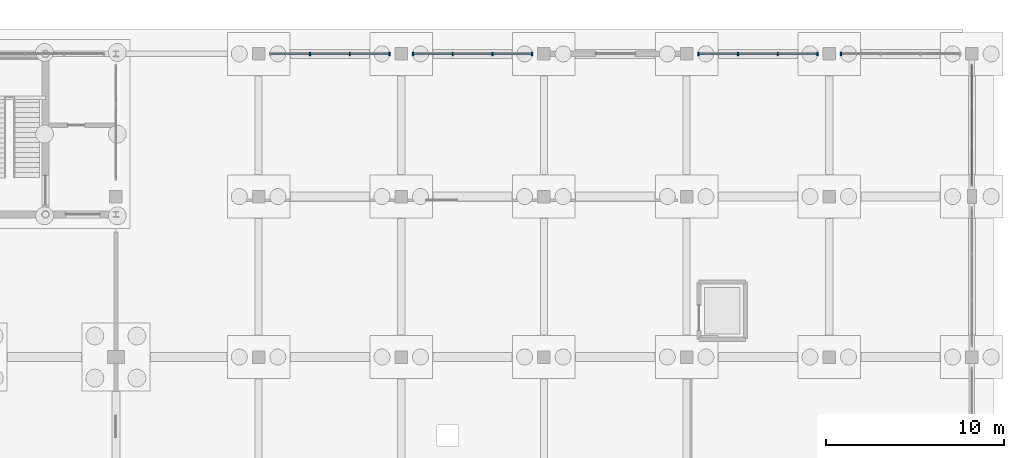
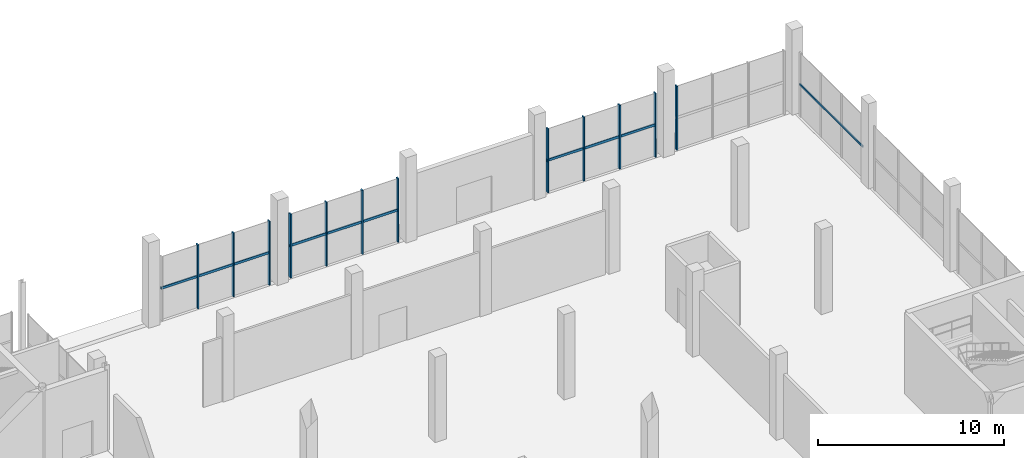
# One storey, part 62 of 98: 16 members, 5 elements without a shape of their own.
"""IFC4 building model written with IfcOpenShell, lengths in metres."""

from ifc_helpers import new_model, si_unit, derived_unit, direction, frame, origin, origin_2d, place, context, subcontext, project, spatial, rectangle, extrude, material, layer, layer_set, material_profile, profile_set, type_object, element, aggregate, save


model = new_model("IFC4")

# Units and contexts
model_context = context("Model", 3, precision=1e-05, world=origin(), true_north=direction((0.0, 1.0)))
body_context = subcontext(model_context, "Body", "Model", "MODEL_VIEW")
ifc_project = project(units=[si_unit("LENGTHUNIT", "METRE"), si_unit("AREAUNIT", "SQUARE_METRE"), si_unit("VOLUMEUNIT", "CUBIC_METRE"), si_unit("PLANEANGLEUNIT", "RADIAN"), si_unit("MASSUNIT", "GRAM", prefix="KILO"), si_unit("THERMODYNAMICTEMPERATUREUNIT", "KELVIN"), derived_unit("THERMALTRANSMITTANCEUNIT", [(si_unit("POWERUNIT", "WATT"), 1), (si_unit("AREAUNIT", "SQUARE_METRE"), -1), (si_unit("THERMODYNAMICTEMPERATUREUNIT", "KELVIN"), -1)])], contexts=[model_context])

# Site, building, storey
site_placement = place(None, origin())
site = spatial("IfcSite", under=ifc_project, at=site_placement, CompositionType="ELEMENT")
building_placement = place(site_placement, origin())
building = spatial("IfcBuilding", under=site, at=building_placement, Name="Haiyu Intermodal Mobility Hub", CompositionType="ELEMENT")
storey_placement = place(building_placement, origin())
storey = spatial("IfcBuildingStorey", under=building, at=storey_placement, Name="L00", CompositionType="ELEMENT", Elevation=0.0)

# Curtain wall, members
ifc_material_1 = material(Name="Low-e laminated insulating glass", Category="glass")
ifc_layer_1 = layer(ifc_material_1, 0.219970703125)
ifc_layer_set_1 = layer_set([ifc_layer_1], Name="Low-e laminated insulating glass")
curtain_wall_type_1 = type_object("IfcCurtainWallType", Name="CW-CW01", PredefinedType="NOTDEFINED", material=ifc_layer_set_1)
curtain_wall_1_placement = place(storey_placement, origin())
curtain_wall_1 = element("IfcCurtainWall", 1, at=curtain_wall_1_placement, inside=storey, type_object=curtain_wall_type_1, Name="Curtain Wall CW-V6N-L00-136", PredefinedType="NOTDEFINED")
ifc_material_2 = material(Name="Anodised aluminium 6063-T6", Category="aluminium")
ifc_material_profile_1 = material_profile(ifc_material_2, rectangle(XDim=0.074951171875, YDim=0.199951171875, at=origin_2d()), Name="ALU75x200")
ifc_profile_set_1 = profile_set([ifc_material_profile_1], Name="Anodised aluminium 6063-T6")
member_type_1 = type_object("IfcMemberType", Name="CWM-ML01", PredefinedType="MULLION", material=ifc_profile_set_1)
member_1_placement = place(storey_placement, frame((177.340087890625, 148.0, 0.0), z_axis=(0.0, 0.0, 1.0), x_axis=(1.0, 0.0, 0.0)))
member_1 = element("IfcMember", 2, at=member_1_placement, type_object=member_type_1, Name="CW-V6N-L00-136-ML01", PredefinedType="MULLION", context=body_context, shape_type="SweptSolid", body=[
    extrude(rectangle(XDim=0.074951171875, YDim=0.199951171875, at=origin_2d()), origin(), (0.0, 0.0, 1.0), 4.199951171875),
])
member_2_placement = place(storey_placement, frame((175.113037109375, 148.0, 0.0), z_axis=(0.0, 0.0, 1.0), x_axis=(1.0, 0.0, 0.0)))
member_2 = element("IfcMember", 3, at=member_2_placement, type_object=member_type_1, Name="CW-V6N-L00-136-ML02", PredefinedType="MULLION", context=body_context, shape_type="SweptSolid", body=[
    extrude(rectangle(XDim=0.074951171875, YDim=0.199951171875, at=origin_2d()), origin(), (0.0, 0.0, 1.0), 4.199951171875),
])
member_3_placement = place(storey_placement, frame((172.886962890625, 148.0, 0.0), z_axis=(0.0, 0.0, 1.0), x_axis=(1.0, 0.0, 0.0)))
member_3 = element("IfcMember", 4, at=member_3_placement, type_object=member_type_1, Name="CW-V6N-L00-136-ML03", PredefinedType="MULLION", context=body_context, shape_type="SweptSolid", body=[
    extrude(rectangle(XDim=0.074951171875, YDim=0.199951171875, at=origin_2d()), origin(), (0.0, 0.0, 1.0), 4.199951171875),
])

curtain_wall_2_placement = place(storey_placement, origin())
curtain_wall_2 = element("IfcCurtainWall", 5, at=curtain_wall_2_placement, inside=storey, type_object=curtain_wall_type_1, Name="Curtain Wall CW-V6N-L00-137", PredefinedType="NOTDEFINED")
member_4_placement = place(storey_placement, frame((185.340087890625, 148.0, 0.0), z_axis=(0.0, 0.0, 1.0), x_axis=(1.0, 0.0, 0.0)))
member_4 = element("IfcMember", 6, at=member_4_placement, type_object=member_type_1, Name="CW-V6N-L00-137-ML01", PredefinedType="MULLION", context=body_context, shape_type="SweptSolid", body=[
    extrude(rectangle(XDim=0.074951171875, YDim=0.199951171875, at=origin_2d()), origin(), (0.0, 0.0, 1.0), 4.199951171875),
])
member_5_placement = place(storey_placement, frame((183.113037109375, 148.0, 0.0), z_axis=(0.0, 0.0, 1.0), x_axis=(1.0, 0.0, 0.0)))
member_5 = element("IfcMember", 7, at=member_5_placement, type_object=member_type_1, Name="CW-V6N-L00-137-ML02", PredefinedType="MULLION", context=body_context, shape_type="SweptSolid", body=[
    extrude(rectangle(XDim=0.074951171875, YDim=0.199951171875, at=origin_2d()), origin(), (0.0, 0.0, 1.0), 4.199951171875),
])
member_6_placement = place(storey_placement, frame((180.886962890625, 148.0, 0.0), z_axis=(0.0, 0.0, 1.0), x_axis=(1.0, 0.0, 0.0)))
member_6 = element("IfcMember", 8, at=member_6_placement, type_object=member_type_1, Name="CW-V6N-L00-137-ML03", PredefinedType="MULLION", context=body_context, shape_type="SweptSolid", body=[
    extrude(rectangle(XDim=0.074951171875, YDim=0.199951171875, at=origin_2d()), origin(), (0.0, 0.0, 1.0), 4.199951171875),
])
member_7_placement = place(storey_placement, frame((178.659912109375, 148.0, 0.0), z_axis=(0.0, 0.0, 1.0), x_axis=(1.0, 0.0, 0.0)))
member_7 = element("IfcMember", 9, at=member_7_placement, type_object=member_type_1, Name="CW-V6N-L00-137-ML04", PredefinedType="MULLION", context=body_context, shape_type="SweptSolid", body=[
    extrude(rectangle(XDim=0.074951171875, YDim=0.199951171875, at=origin_2d()), origin(), (0.0, 0.0, 1.0), 4.199951171875),
])

curtain_wall_3_placement = place(storey_placement, origin())
curtain_wall_3 = element("IfcCurtainWall", 10, at=curtain_wall_3_placement, inside=storey, type_object=curtain_wall_type_1, Name="Curtain Wall CW-V6N-L00-138", PredefinedType="NOTDEFINED")
member_8_placement = place(storey_placement, frame((201.340087890625, 148.0, 0.0), z_axis=(0.0, 0.0, 1.0), x_axis=(1.0, 0.0, 0.0)))
member_8 = element("IfcMember", 11, at=member_8_placement, type_object=member_type_1, Name="CW-V6N-L00-138-ML01", PredefinedType="MULLION", context=body_context, shape_type="SweptSolid", body=[
    extrude(rectangle(XDim=0.074951171875, YDim=0.199951171875, at=origin_2d()), origin(), (0.0, 0.0, 1.0), 4.199951171875),
])
member_9_placement = place(storey_placement, frame((199.113037109375, 148.0, 0.0), z_axis=(0.0, 0.0, 1.0), x_axis=(1.0, 0.0, 0.0)))
member_9 = element("IfcMember", 12, at=member_9_placement, type_object=member_type_1, Name="CW-V6N-L00-138-ML02", PredefinedType="MULLION", context=body_context, shape_type="SweptSolid", body=[
    extrude(rectangle(XDim=0.074951171875, YDim=0.199951171875, at=origin_2d()), origin(), (0.0, 0.0, 1.0), 4.199951171875),
])
member_10_placement = place(storey_placement, frame((196.886962890625, 148.0, 0.0), z_axis=(0.0, 0.0, 1.0), x_axis=(1.0, 0.0, 0.0)))
member_10 = element("IfcMember", 13, at=member_10_placement, type_object=member_type_1, Name="CW-V6N-L00-138-ML03", PredefinedType="MULLION", context=body_context, shape_type="SweptSolid", body=[
    extrude(rectangle(XDim=0.074951171875, YDim=0.199951171875, at=origin_2d()), origin(), (0.0, 0.0, 1.0), 4.199951171875),
])
member_11_placement = place(storey_placement, frame((194.659912109375, 148.0, 0.0), z_axis=(0.0, 0.0, 1.0), x_axis=(1.0, 0.0, 0.0)))
member_11 = element("IfcMember", 14, at=member_11_placement, type_object=member_type_1, Name="CW-V6N-L00-138-ML04", PredefinedType="MULLION", context=body_context, shape_type="SweptSolid", body=[
    extrude(rectangle(XDim=0.074951171875, YDim=0.199951171875, at=origin_2d()), origin(), (0.0, 0.0, 1.0), 4.199951171875),
])

# Curtain wall, member
curtain_wall_4_placement = place(storey_placement, origin())
curtain_wall_4 = element("IfcCurtainWall", 15, at=curtain_wall_4_placement, inside=storey, type_object=curtain_wall_type_1, Name="Curtain Wall CW-V6N-L00-139", PredefinedType="NOTDEFINED")
member_12_placement = place(storey_placement, frame((202.659912109375, 148.0, 0.0), z_axis=(0.0, 0.0, 1.0), x_axis=(1.0, 0.0, 0.0)))
member_12 = element("IfcMember", 16, at=member_12_placement, type_object=member_type_1, Name="CW-V6N-L00-139-ML04", PredefinedType="MULLION", context=body_context, shape_type="SweptSolid", body=[
    extrude(rectangle(XDim=0.074951171875, YDim=0.199951171875, at=origin_2d()), origin(), (0.0, 0.0, 1.0), 4.199951171875),
])
aggregate(curtain_wall_4, [member_12])

# Member
ifc_material_profile_2 = material_profile(ifc_material_2, rectangle(XDim=0.074951171875, YDim=0.159912109375, at=origin_2d()), Name="ALU75x160")
ifc_profile_set_2 = profile_set([ifc_material_profile_2], Name="Anodised aluminium 6063-T6")
member_type_2 = type_object("IfcMemberType", Name="CWM-TR01", PredefinedType="USERDEFINED", material=ifc_profile_set_2)
member_13_placement = place(storey_placement, frame((177.3798828125, 148.0, 2.10009765625), z_axis=(-1.0, 0.0, 0.0), x_axis=(0.0, -1.0, 0.0)))
member_13 = element("IfcMember", 17, at=member_13_placement, type_object=member_type_2, Name="CW-V6N-L00-136-TR01", ObjectType="TRANSOM", PredefinedType="USERDEFINED", context=body_context, shape_type="SweptSolid", body=[
    extrude(rectangle(XDim=0.074951171875, YDim=0.159912109375, at=origin_2d()), origin(), (0.0, 0.0, 1.0), 6.759765625),
])

aggregate(curtain_wall_1, [member_1, member_2, member_3, member_13])

member_14_placement = place(storey_placement, frame((185.3798828125, 148.0, 2.10009765625), z_axis=(-1.0, 0.0, 0.0), x_axis=(0.0, -1.0, 0.0)))
member_14 = element("IfcMember", 18, at=member_14_placement, type_object=member_type_2, Name="CW-V6N-L00-137-TR01", ObjectType="TRANSOM", PredefinedType="USERDEFINED", context=body_context, shape_type="SweptSolid", body=[
    extrude(rectangle(XDim=0.074951171875, YDim=0.159912109375, at=origin_2d()), origin(), (0.0, 0.0, 1.0), 6.759765625),
])

aggregate(curtain_wall_2, [member_4, member_5, member_6, member_7, member_14])

member_15_placement = place(storey_placement, frame((201.3798828125, 148.0, 2.10009765625), z_axis=(-1.0, 0.0, 0.0), x_axis=(0.0, -1.0, 0.0)))
member_15 = element("IfcMember", 19, at=member_15_placement, type_object=member_type_2, Name="CW-V6N-L00-138-TR01", ObjectType="TRANSOM", PredefinedType="USERDEFINED", context=body_context, shape_type="SweptSolid", body=[
    extrude(rectangle(XDim=0.074951171875, YDim=0.159912109375, at=origin_2d()), origin(), (0.0, 0.0, 1.0), 6.759765625),
])

aggregate(curtain_wall_3, [member_8, member_9, member_10, member_11, member_15])

# Curtain wall, member
ifc_layer_2 = layer(ifc_material_1, 0.2099609375)
ifc_layer_set_2 = layer_set([ifc_layer_2], Name="Low-e laminated insulating glass")
curtain_wall_type_2 = type_object("IfcCurtainWallType", Name="CW-CW04", PredefinedType="NOTDEFINED", material=ifc_layer_set_2)
curtain_wall_5_placement = place(storey_placement, origin())
curtain_wall_5 = element("IfcCurtainWall", 20, at=curtain_wall_5_placement, inside=storey, type_object=curtain_wall_type_2, Name="Curtain Wall CW-V6E-L00-135", PredefinedType="NOTDEFINED")
ifc_material_profile_3 = material_profile(ifc_material_2, rectangle(XDim=0.06494140625, YDim=0.135009765625, at=origin_2d()), Name="ALU65x135")
ifc_profile_set_3 = profile_set([ifc_material_profile_3], Name="Anodised aluminium 6063-T6")
member_type_3 = type_object("IfcMemberType", Name="CWM-TR02", PredefinedType="USERDEFINED", material=ifc_profile_set_3)
member_16_placement = place(storey_placement, frame((210.0, 140.6201171875, 2.10009765625), z_axis=(0.0, 1.0, 0.0), x_axis=(-1.0, 0.0, 0.0)))
member_16 = element("IfcMember", 21, at=member_16_placement, type_object=member_type_3, Name="CW-V6E-L00-135-TR01", ObjectType="TRANSOM", PredefinedType="USERDEFINED", context=body_context, shape_type="SweptSolid", body=[
    extrude(rectangle(XDim=0.06494140625, YDim=0.135009765625, at=origin_2d()), origin(), (0.0, 0.0, 1.0), 6.759765625),
])
aggregate(curtain_wall_5, [member_16])

save(model, "model.ifc")
